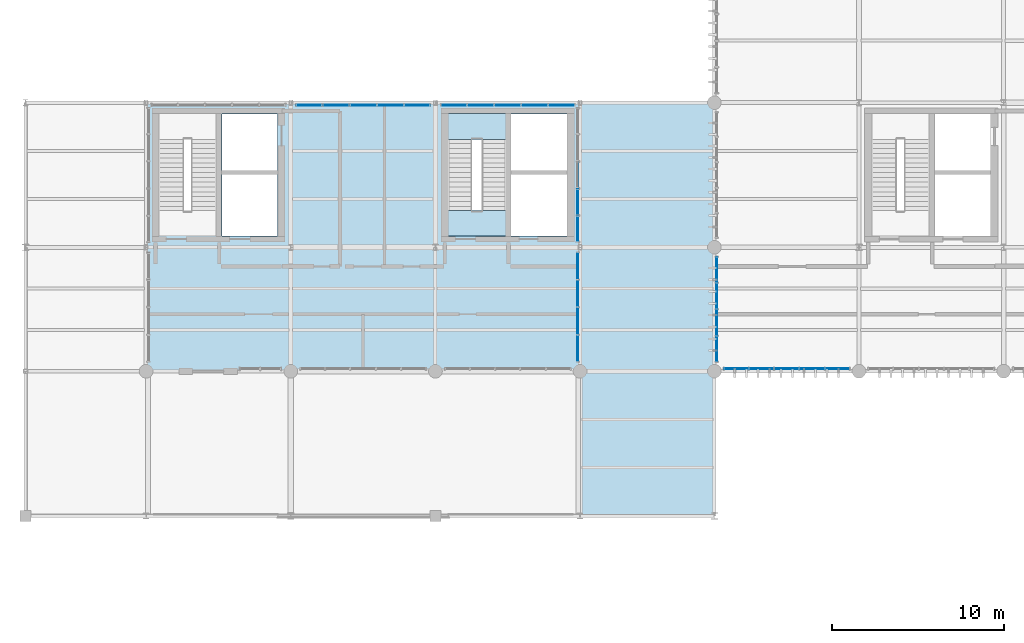
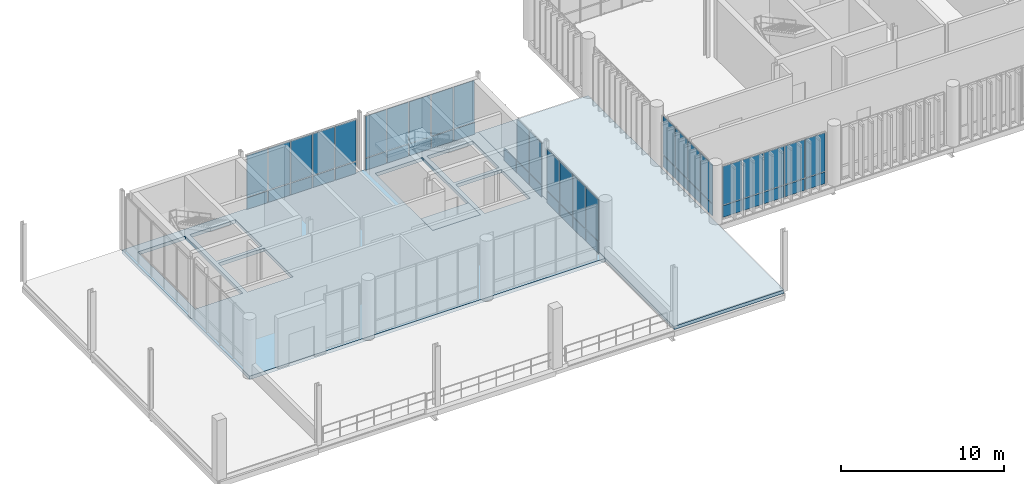
# One storey, part 51 of 68: 51 plates, 4 slabs, 7 elements without a shape of their own.
"""IFC4 building model written with IfcOpenShell, lengths in metres."""

from ifc_helpers import new_model, si_unit, direction, frame, frame_2d, origin_with_axes, place, context, subcontext, project, spatial, polyline, rectangle, outline, extrude, material, layer, layer_set, type_object, element, aggregate, save


model = new_model("IFC4")

# Units and contexts
model_context = context("Model", 3, precision=1e-05, world=origin_with_axes(), true_north=direction((0.0, 1.0)))
body_context = subcontext(model_context, "Body", "Model", "MODEL_VIEW")
ifc_project = project(units=[si_unit("LENGTHUNIT", "METRE"), si_unit("AREAUNIT", "SQUARE_METRE"), si_unit("VOLUMEUNIT", "CUBIC_METRE"), si_unit("PLANEANGLEUNIT", "RADIAN"), si_unit("MASSUNIT", "GRAM", prefix="KILO"), si_unit("THERMODYNAMICTEMPERATUREUNIT", "KELVIN")], contexts=[model_context])

# Site, building, storey
site_placement = place(None, origin_with_axes())
site = spatial("IfcSite", under=ifc_project, at=site_placement, CompositionType="ELEMENT")
building_placement = place(site_placement, origin_with_axes())
building = spatial("IfcBuilding", under=site, at=building_placement, Name="Montbau Bow Law Courts", CompositionType="ELEMENT")
storey_placement = place(building_placement, frame((0.0, 0.0, 20.4), z_axis=(0.0, 0.0, 1.0), x_axis=(1.0, 0.0, 0.0)))
storey = spatial("IfcBuildingStorey", under=building, at=storey_placement, Name="L04", CompositionType="ELEMENT", Elevation=20.4)

# Curtain wall, plates
ifc_material_1 = material(Name="Thermally Broken Extruded Aluminium AA 6063-T6", Category="aluminium")
curtain_wall_type_1 = type_object("IfcCurtainWallType", Name="CW-CRM-01", PredefinedType="NOTDEFINED", material=ifc_material_1)
curtain_wall_1_placement = place(None, frame((47.315, 39.14, 20.4), z_axis=(0.0, 0.0, 1.0), x_axis=(1.0, 0.0, 0.0)))
curtain_wall_1 = element("IfcCurtainWall", 1, at=curtain_wall_1_placement, inside=storey, type_object=curtain_wall_type_1, Name="CW-L04-193:cw_0193", PredefinedType="NOTDEFINED")
ifc_material_2 = material(Name="Triple-Glazed Low-E Argon Insulating Glass Unit", Category="glass")
ifc_layer_1 = layer(ifc_material_2, 0.044, Name="Curtain Panel", Category="glass")
ifc_layer_set_1 = layer_set([ifc_layer_1], Name="Triple-Glazed Low-E Argon Insulating Glass Unit")
plate_type_1 = type_object("IfcPlateType", Name="PL-CWP-01", PredefinedType="CURTAIN_PANEL", material=ifc_layer_set_1)
plate_1_placement = place(None, frame((47.383, 39.14, 21.38), z_axis=(0.0, -1.0, 0.0), x_axis=(1.0, 0.0, 0.0)))
plate_1 = element("IfcPlate", 2, at=plate_1_placement, type_object=plate_type_1, Name="CW-L04-193-P01-2:cw_0193_P01_2", PredefinedType="CURTAIN_PANEL", context=body_context, shape_type="SweptSolid", body=[
    extrude(rectangle(XDim=1.372, YDim=2.884, at=frame_2d((0.686, 1.442), x_axis=(1.0, 0.0))), frame((0.0, 0.0, -0.022), z_axis=(0.0, 0.0, 1.0), x_axis=(1.0, 0.0, 0.0)), (0.0, 0.0, 1.0), 0.044),
])
plate_2_placement = place(None, frame((48.823, 39.14, 21.38), z_axis=(0.0, -1.0, 0.0), x_axis=(1.0, 0.0, 0.0)))
plate_2 = element("IfcPlate", 3, at=plate_2_placement, type_object=plate_type_1, Name="CW-L04-193-P02-2:cw_0193_P02_2", PredefinedType="CURTAIN_PANEL", context=body_context, shape_type="SweptSolid", body=[
    extrude(rectangle(XDim=1.405, YDim=2.884, at=frame_2d((0.7025, 1.442), x_axis=(1.0, 0.0))), frame((0.0, 0.0, -0.022), z_axis=(0.0, 0.0, 1.0), x_axis=(1.0, 0.0, 0.0)), (0.0, 0.0, 1.0), 0.044),
])
plate_3_placement = place(None, frame((50.297, 39.14, 21.38), z_axis=(0.0, -1.0, 0.0), x_axis=(1.0, 0.0, 0.0)))
plate_3 = element("IfcPlate", 4, at=plate_3_placement, type_object=plate_type_1, Name="CW-L04-193-P03-2:cw_0193_P03_2", PredefinedType="CURTAIN_PANEL", context=body_context, shape_type="SweptSolid", body=[
    extrude(rectangle(XDim=1.406, YDim=2.884, at=frame_2d((0.703, 1.442), x_axis=(1.0, 0.0))), frame((0.0, 0.0, -0.022), z_axis=(0.0, 0.0, 1.0), x_axis=(1.0, 0.0, 0.0)), (0.0, 0.0, 1.0), 0.044),
])
plate_4_placement = place(None, frame((51.771, 39.14, 21.38), z_axis=(0.0, -1.0, 0.0), x_axis=(1.0, 0.0, 0.0)))
plate_4 = element("IfcPlate", 5, at=plate_4_placement, type_object=plate_type_1, Name="CW-L04-193-P04-2:cw_0193_P04_2", PredefinedType="CURTAIN_PANEL", context=body_context, shape_type="SweptSolid", body=[
    extrude(rectangle(XDim=1.406, YDim=2.884, at=frame_2d((0.703, 1.442), x_axis=(1.0, 0.0))), frame((0.0, 0.0, -0.022), z_axis=(0.0, 0.0, 1.0), x_axis=(1.0, 0.0, 0.0)), (0.0, 0.0, 1.0), 0.044),
])
plate_5_placement = place(None, frame((53.245, 39.14, 21.38), z_axis=(0.0, -1.0, 0.0), x_axis=(1.0, 0.0, 0.0)))
plate_5 = element("IfcPlate", 6, at=plate_5_placement, type_object=plate_type_1, Name="CW-L04-193-P05-2:cw_0193_P05_2", PredefinedType="CURTAIN_PANEL", context=body_context, shape_type="SweptSolid", body=[
    extrude(rectangle(XDim=1.374, YDim=2.884, at=frame_2d((0.687, 1.442), x_axis=(1.0, 0.0))), frame((0.0, 0.0, -0.022), z_axis=(0.0, 0.0, 1.0), x_axis=(1.0, 0.0, 0.0)), (0.0, 0.0, 1.0), 0.044),
])

curtain_wall_2_placement = place(None, frame((46.94, 39.515, 20.4), z_axis=(0.0, 0.0, 1.0), x_axis=(1.0, 0.0, 0.0)))
curtain_wall_2 = element("IfcCurtainWall", 7, at=curtain_wall_2_placement, inside=storey, type_object=curtain_wall_type_1, Name="CW-L04-205:cw_0205", PredefinedType="NOTDEFINED")
plate_6_placement = place(None, frame((46.94, 39.583, 21.38), z_axis=(1.0, 0.0, 0.0), x_axis=(0.0, 1.0, 0.0)))
plate_6 = element("IfcPlate", 8, at=plate_6_placement, type_object=plate_type_1, Name="CW-L04-205-P01-2:cw_0205_P01_2", PredefinedType="CURTAIN_PANEL", context=body_context, shape_type="SweptSolid", body=[
    extrude(rectangle(XDim=1.44, YDim=2.884, at=frame_2d((0.72, 1.442), x_axis=(1.0, 0.0))), frame((0.0, 0.0, -0.022), z_axis=(0.0, 0.0, 1.0), x_axis=(1.0, 0.0, 0.0)), (0.0, 0.0, 1.0), 0.044),
])
plate_7_placement = place(None, frame((46.94, 41.092, 21.38), z_axis=(1.0, 0.0, 0.0), x_axis=(0.0, 1.0, 0.0)))
plate_7 = element("IfcPlate", 9, at=plate_7_placement, type_object=plate_type_1, Name="CW-L04-205-P02-2:cw_0205_P02_2", PredefinedType="CURTAIN_PANEL", context=body_context, shape_type="SweptSolid", body=[
    extrude(rectangle(XDim=1.473, YDim=2.884, at=frame_2d((0.7365, 1.442), x_axis=(1.0, 0.0))), frame((0.0, 0.0, -0.022), z_axis=(0.0, 0.0, 1.0), x_axis=(1.0, 0.0, 0.0)), (0.0, 0.0, 1.0), 0.044),
])
plate_8_placement = place(None, frame((46.94, 42.634, 21.38), z_axis=(1.0, 0.0, 0.0), x_axis=(0.0, 1.0, 0.0)))
plate_8 = element("IfcPlate", 10, at=plate_8_placement, type_object=plate_type_1, Name="CW-L04-205-P03-2:cw_0205_P03_2", PredefinedType="CURTAIN_PANEL", context=body_context, shape_type="SweptSolid", body=[
    extrude(rectangle(XDim=1.475, YDim=2.884, at=frame_2d((0.7375, 1.442), x_axis=(1.0, 0.0))), frame((0.0, 0.0, -0.022), z_axis=(0.0, 0.0, 1.0), x_axis=(1.0, 0.0, 0.0)), (0.0, 0.0, 1.0), 0.044),
])
plate_9_placement = place(None, frame((46.94, 44.177, 21.38), z_axis=(1.0, 0.0, 0.0), x_axis=(0.0, 1.0, 0.0)))
plate_9 = element("IfcPlate", 11, at=plate_9_placement, type_object=plate_type_1, Name="CW-L04-205-P04-2:cw_0205_P04_2", PredefinedType="CURTAIN_PANEL", context=body_context, shape_type="SweptSolid", body=[
    extrude(rectangle(XDim=1.442, YDim=2.884, at=frame_2d((0.721, 1.442), x_axis=(1.0, 0.0))), frame((0.0, 0.0, -0.022), z_axis=(0.0, 0.0, 1.0), x_axis=(1.0, 0.0, 0.0)), (0.0, 0.0, 1.0), 0.044),
])

curtain_wall_type_2 = type_object("IfcCurtainWallType", Name="CW-NCK-01", PredefinedType="NOTDEFINED", material=ifc_material_1)
curtain_wall_3_placement = place(None, frame((22.467, 54.46, 20.4), z_axis=(0.0, 0.0, 1.0), x_axis=(1.0, 0.0, 0.0)))
curtain_wall_3 = element("IfcCurtainWall", 12, at=curtain_wall_3_placement, inside=storey, type_object=curtain_wall_type_2, Name="CW-L04-070:cw_0070", PredefinedType="NOTDEFINED")
ifc_material_3 = material(Name="Insulated Ceramic-Frit Spandrel Glazing Unit", Category="glass")
ifc_layer_2 = layer(ifc_material_3, 0.056, Name="Curtain Panel", Category="glass")
ifc_layer_set_2 = layer_set([ifc_layer_2], Name="Insulated Ceramic-Frit Spandrel Glazing Unit")
plate_type_2 = type_object("IfcPlateType", Name="PL-CWP-02", PredefinedType="CURTAIN_PANEL", material=ifc_layer_set_2)
plate_10_placement = place(None, frame((22.535, 54.46, 20.462), z_axis=(0.0, -1.0, 0.0), x_axis=(1.0, 0.0, 0.0)))
plate_10 = element("IfcPlate", 13, at=plate_10_placement, type_object=plate_type_2, Name="CW-L04-070-P01-1:cw_0070_P01_1", PredefinedType="CURTAIN_PANEL", context=body_context, shape_type="SweptSolid", body=[
    extrude(rectangle(XDim=1.47, YDim=0.856, at=frame_2d((0.735, 0.428), x_axis=(1.0, 0.0))), frame((0.0, 0.0, -0.028), z_axis=(0.0, 0.0, 1.0), x_axis=(1.0, 0.0, 0.0)), (0.0, 0.0, 1.0), 0.056),
])
plate_11_placement = place(None, frame((24.074, 54.46, 20.462), z_axis=(0.0, -1.0, 0.0), x_axis=(1.0, 0.0, 0.0)))
plate_11 = element("IfcPlate", 14, at=plate_11_placement, type_object=plate_type_2, Name="CW-L04-070-P02-1:cw_0070_P02_1", PredefinedType="CURTAIN_PANEL", context=body_context, shape_type="SweptSolid", body=[
    extrude(rectangle(XDim=1.504, YDim=0.856, at=frame_2d((0.752, 0.428), x_axis=(1.0, 0.0))), frame((0.0, 0.0, -0.028), z_axis=(0.0, 0.0, 1.0), x_axis=(1.0, 0.0, 0.0)), (0.0, 0.0, 1.0), 0.056),
])
plate_12_placement = place(None, frame((25.647, 54.46, 20.462), z_axis=(0.0, -1.0, 0.0), x_axis=(1.0, 0.0, 0.0)))
plate_12 = element("IfcPlate", 15, at=plate_12_placement, type_object=plate_type_2, Name="CW-L04-070-P03-1:cw_0070_P03_1", PredefinedType="CURTAIN_PANEL", context=body_context, shape_type="SweptSolid", body=[
    extrude(rectangle(XDim=1.506, YDim=0.856, at=frame_2d((0.753, 0.428), x_axis=(1.0, 0.0))), frame((0.0, 0.0, -0.028), z_axis=(0.0, 0.0, 1.0), x_axis=(1.0, 0.0, 0.0)), (0.0, 0.0, 1.0), 0.056),
])
plate_13_placement = place(None, frame((27.221, 54.46, 20.462), z_axis=(0.0, -1.0, 0.0), x_axis=(1.0, 0.0, 0.0)))
plate_13 = element("IfcPlate", 16, at=plate_13_placement, type_object=plate_type_2, Name="CW-L04-070-P04-1:cw_0070_P04_1", PredefinedType="CURTAIN_PANEL", context=body_context, shape_type="SweptSolid", body=[
    extrude(rectangle(XDim=1.505, YDim=0.856, at=frame_2d((0.7525, 0.428), x_axis=(1.0, 0.0))), frame((0.0, 0.0, -0.028), z_axis=(0.0, 0.0, 1.0), x_axis=(1.0, 0.0, 0.0)), (0.0, 0.0, 1.0), 0.056),
])
plate_14_placement = place(None, frame((28.794, 54.46, 20.462), z_axis=(0.0, -1.0, 0.0), x_axis=(1.0, 0.0, 0.0)))
plate_14 = element("IfcPlate", 17, at=plate_14_placement, type_object=plate_type_2, Name="CW-L04-070-P05-1:cw_0070_P05_1", PredefinedType="CURTAIN_PANEL", context=body_context, shape_type="SweptSolid", body=[
    extrude(rectangle(XDim=1.472, YDim=0.856, at=frame_2d((0.736, 0.428), x_axis=(1.0, 0.0))), frame((0.0, 0.0, -0.028), z_axis=(0.0, 0.0, 1.0), x_axis=(1.0, 0.0, 0.0)), (0.0, 0.0, 1.0), 0.056),
])

curtain_wall_4_placement = place(None, frame((30.867, 54.46, 20.4), z_axis=(0.0, 0.0, 1.0), x_axis=(1.0, 0.0, 0.0)))
curtain_wall_4 = element("IfcCurtainWall", 18, at=curtain_wall_4_placement, inside=storey, type_object=curtain_wall_type_2, Name="CW-L04-071:cw_0071", PredefinedType="NOTDEFINED")
plate_15_placement = place(None, frame((30.929, 54.46, 20.456), z_axis=(0.0, -1.0, 0.0), x_axis=(1.0, 0.0, 0.0)))
plate_15 = element("IfcPlate", 19, at=plate_15_placement, type_object=plate_type_2, Name="CW-L04-071-P01-1:cw_0071_P01_1", PredefinedType="CURTAIN_PANEL", context=body_context, shape_type="SweptSolid", body=[
    extrude(rectangle(XDim=1.479, YDim=0.865, at=frame_2d((0.7395, 0.4325), x_axis=(1.0, 0.0))), frame((0.0, 0.0, -0.028), z_axis=(0.0, 0.0, 1.0), x_axis=(1.0, 0.0, 0.0)), (0.0, 0.0, 1.0), 0.056),
])
plate_16_placement = place(None, frame((32.472, 54.46, 20.456), z_axis=(0.0, -1.0, 0.0), x_axis=(1.0, 0.0, 0.0)))
plate_16 = element("IfcPlate", 20, at=plate_16_placement, type_object=plate_type_2, Name="CW-L04-071-P02-1:cw_0071_P02_1", PredefinedType="CURTAIN_PANEL", context=body_context, shape_type="SweptSolid", body=[
    extrude(rectangle(XDim=1.509, YDim=0.865, at=frame_2d((0.7545, 0.4325), x_axis=(1.0, 0.0))), frame((0.0, 0.0, -0.028), z_axis=(0.0, 0.0, 1.0), x_axis=(1.0, 0.0, 0.0)), (0.0, 0.0, 1.0), 0.056),
])
plate_17_placement = place(None, frame((34.045, 54.46, 20.456), z_axis=(0.0, -1.0, 0.0), x_axis=(1.0, 0.0, 0.0)))
plate_17 = element("IfcPlate", 21, at=plate_17_placement, type_object=plate_type_2, Name="CW-L04-071-P03-1:cw_0071_P03_1", PredefinedType="CURTAIN_PANEL", context=body_context, shape_type="SweptSolid", body=[
    extrude(rectangle(XDim=1.509, YDim=0.865, at=frame_2d((0.7545, 0.4325), x_axis=(1.0, 0.0))), frame((0.0, 0.0, -0.028), z_axis=(0.0, 0.0, 1.0), x_axis=(1.0, 0.0, 0.0)), (0.0, 0.0, 1.0), 0.056),
])
plate_18_placement = place(None, frame((35.618, 54.46, 20.456), z_axis=(0.0, -1.0, 0.0), x_axis=(1.0, 0.0, 0.0)))
plate_18 = element("IfcPlate", 22, at=plate_18_placement, type_object=plate_type_2, Name="CW-L04-071-P04-1:cw_0071_P04_1", PredefinedType="CURTAIN_PANEL", context=body_context, shape_type="SweptSolid", body=[
    extrude(rectangle(XDim=1.509, YDim=0.865, at=frame_2d((0.7545, 0.4325), x_axis=(1.0, 0.0))), frame((0.0, 0.0, -0.028), z_axis=(0.0, 0.0, 1.0), x_axis=(1.0, 0.0, 0.0)), (0.0, 0.0, 1.0), 0.056),
])
plate_19_placement = place(None, frame((37.191, 54.46, 20.456), z_axis=(0.0, -1.0, 0.0), x_axis=(1.0, 0.0, 0.0)))
plate_19 = element("IfcPlate", 23, at=plate_19_placement, type_object=plate_type_2, Name="CW-L04-071-P05-1:cw_0071_P05_1", PredefinedType="CURTAIN_PANEL", context=body_context, shape_type="SweptSolid", body=[
    extrude(rectangle(XDim=1.479, YDim=0.865, at=frame_2d((0.7395, 0.4325), x_axis=(1.0, 0.0))), frame((0.0, 0.0, -0.028), z_axis=(0.0, 0.0, 1.0), x_axis=(1.0, 0.0, 0.0)), (0.0, 0.0, 1.0), 0.056),
])

curtain_wall_5_placement = place(None, frame((38.86, 39.515, 20.4), z_axis=(0.0, 0.0, 1.0), x_axis=(1.0, 0.0, 0.0)))
curtain_wall_5 = element("IfcCurtainWall", 24, at=curtain_wall_5_placement, inside=storey, type_object=curtain_wall_type_2, Name="CW-L04-074:cw_0074", PredefinedType="NOTDEFINED")
plate_20_placement = place(None, frame((38.86, 39.577, 20.462), z_axis=(1.0, 0.0, 0.0), x_axis=(0.0, 1.0, 0.0)))
plate_20 = element("IfcPlate", 25, at=plate_20_placement, type_object=plate_type_2, Name="CW-L04-074-P01-1:cw_0074_P01_1", PredefinedType="CURTAIN_PANEL", context=body_context, shape_type="SweptSolid", body=[
    extrude(rectangle(XDim=1.51, YDim=0.856, at=frame_2d((0.755, 0.428), x_axis=(1.0, 0.0))), frame((0.0, 0.0, -0.028), z_axis=(0.0, 0.0, 1.0), x_axis=(1.0, 0.0, 0.0)), (0.0, 0.0, 1.0), 0.056),
])
plate_21_placement = place(None, frame((38.86, 41.151, 20.462), z_axis=(1.0, 0.0, 0.0), x_axis=(0.0, 1.0, 0.0)))
plate_21 = element("IfcPlate", 26, at=plate_21_placement, type_object=plate_type_2, Name="CW-L04-074-P02-1:cw_0074_P02_1", PredefinedType="CURTAIN_PANEL", context=body_context, shape_type="SweptSolid", body=[
    extrude(rectangle(XDim=1.541, YDim=0.856, at=frame_2d((0.7705, 0.428), x_axis=(1.0, 0.0))), frame((0.0, 0.0, -0.028), z_axis=(0.0, 0.0, 1.0), x_axis=(1.0, 0.0, 0.0)), (0.0, 0.0, 1.0), 0.056),
])
plate_22_placement = place(None, frame((38.86, 42.756, 20.462), z_axis=(1.0, 0.0, 0.0), x_axis=(0.0, 1.0, 0.0)))
plate_22 = element("IfcPlate", 27, at=plate_22_placement, type_object=plate_type_2, Name="CW-L04-074-P03-1:cw_0074_P03_1", PredefinedType="CURTAIN_PANEL", context=body_context, shape_type="SweptSolid", body=[
    extrude(rectangle(XDim=1.54, YDim=0.856, at=frame_2d((0.77, 0.428), x_axis=(1.0, 0.0))), frame((0.0, 0.0, -0.028), z_axis=(0.0, 0.0, 1.0), x_axis=(1.0, 0.0, 0.0)), (0.0, 0.0, 1.0), 0.056),
])
plate_23_placement = place(None, frame((38.86, 44.36, 20.462), z_axis=(1.0, 0.0, 0.0), x_axis=(0.0, 1.0, 0.0)))
plate_23 = element("IfcPlate", 28, at=plate_23_placement, type_object=plate_type_2, Name="CW-L04-074-P04-1:cw_0074_P04_1", PredefinedType="CURTAIN_PANEL", context=body_context, shape_type="SweptSolid", body=[
    extrude(rectangle(XDim=1.51, YDim=0.856, at=frame_2d((0.755, 0.428), x_axis=(1.0, 0.0))), frame((0.0, 0.0, -0.028), z_axis=(0.0, 0.0, 1.0), x_axis=(1.0, 0.0, 0.0)), (0.0, 0.0, 1.0), 0.056),
])

curtain_wall_6_placement = place(None, frame((38.86, 46.468, 20.4), z_axis=(0.0, 0.0, 1.0), x_axis=(1.0, 0.0, 0.0)))
curtain_wall_6 = element("IfcCurtainWall", 29, at=curtain_wall_6_placement, inside=storey, type_object=curtain_wall_type_2, Name="CW-L04-075:cw_0075", PredefinedType="NOTDEFINED")
plate_24_placement = place(None, frame((38.86, 46.544, 20.456), z_axis=(1.0, 0.0, 0.0), x_axis=(0.0, 1.0, 0.0)))
plate_24 = element("IfcPlate", 30, at=plate_24_placement, type_object=plate_type_2, Name="CW-L04-075-P01-1:cw_0075_P01_1", PredefinedType="CURTAIN_PANEL", context=body_context, shape_type="SweptSolid", body=[
    extrude(rectangle(XDim=1.457, YDim=0.865, at=frame_2d((0.7285, 0.4325), x_axis=(1.0, 0.0))), frame((0.0, 0.0, -0.028), z_axis=(0.0, 0.0, 1.0), x_axis=(1.0, 0.0, 0.0)), (0.0, 0.0, 1.0), 0.056),
])
plate_25_placement = place(None, frame((38.86, 48.081, 20.456), z_axis=(1.0, 0.0, 0.0), x_axis=(0.0, 1.0, 0.0)))
plate_25 = element("IfcPlate", 31, at=plate_25_placement, type_object=plate_type_2, Name="CW-L04-075-P02-1:cw_0075_P02_1", PredefinedType="CURTAIN_PANEL", context=body_context, shape_type="SweptSolid", body=[
    extrude(rectangle(XDim=1.494, YDim=0.865, at=frame_2d((0.747, 0.4325), x_axis=(1.0, 0.0))), frame((0.0, 0.0, -0.028), z_axis=(0.0, 0.0, 1.0), x_axis=(1.0, 0.0, 0.0)), (0.0, 0.0, 1.0), 0.056),
])
plate_26_placement = place(None, frame((38.86, 49.653, 20.456), z_axis=(1.0, 0.0, 0.0), x_axis=(0.0, 1.0, 0.0)))
plate_26 = element("IfcPlate", 32, at=plate_26_placement, type_object=plate_type_2, Name="CW-L04-075-P03-1:cw_0075_P03_1", PredefinedType="CURTAIN_PANEL", context=body_context, shape_type="SweptSolid", body=[
    extrude(rectangle(XDim=1.494, YDim=0.865, at=frame_2d((0.747, 0.4325), x_axis=(1.0, 0.0))), frame((0.0, 0.0, -0.028), z_axis=(0.0, 0.0, 1.0), x_axis=(1.0, 0.0, 0.0)), (0.0, 0.0, 1.0), 0.056),
])

# Plate
plate_27_placement = place(None, frame((47.383, 39.14, 20.456), z_axis=(0.0, -1.0, 0.0), x_axis=(1.0, 0.0, 0.0)))
plate_27 = element("IfcPlate", 33, at=plate_27_placement, type_object=plate_type_2, Name="CW-L04-193-P01-1:cw_0193_P01_1", PredefinedType="CURTAIN_PANEL", context=body_context, shape_type="SweptSolid", body=[
    extrude(rectangle(XDim=1.372, YDim=0.865, at=frame_2d((0.686, 0.4325), x_axis=(1.0, 0.0))), frame((0.0, 0.0, -0.028), z_axis=(0.0, 0.0, 1.0), x_axis=(1.0, 0.0, 0.0)), (0.0, 0.0, 1.0), 0.056),
])

plate_28_placement = place(None, frame((48.823, 39.14, 20.456), z_axis=(0.0, -1.0, 0.0), x_axis=(1.0, 0.0, 0.0)))
plate_28 = element("IfcPlate", 34, at=plate_28_placement, type_object=plate_type_2, Name="CW-L04-193-P02-1:cw_0193_P02_1", PredefinedType="CURTAIN_PANEL", context=body_context, shape_type="SweptSolid", body=[
    extrude(rectangle(XDim=1.405, YDim=0.865, at=frame_2d((0.7025, 0.4325), x_axis=(1.0, 0.0))), frame((0.0, 0.0, -0.028), z_axis=(0.0, 0.0, 1.0), x_axis=(1.0, 0.0, 0.0)), (0.0, 0.0, 1.0), 0.056),
])

plate_29_placement = place(None, frame((50.297, 39.14, 20.456), z_axis=(0.0, -1.0, 0.0), x_axis=(1.0, 0.0, 0.0)))
plate_29 = element("IfcPlate", 35, at=plate_29_placement, type_object=plate_type_2, Name="CW-L04-193-P03-1:cw_0193_P03_1", PredefinedType="CURTAIN_PANEL", context=body_context, shape_type="SweptSolid", body=[
    extrude(rectangle(XDim=1.406, YDim=0.865, at=frame_2d((0.703, 0.4325), x_axis=(1.0, 0.0))), frame((0.0, 0.0, -0.028), z_axis=(0.0, 0.0, 1.0), x_axis=(1.0, 0.0, 0.0)), (0.0, 0.0, 1.0), 0.056),
])

plate_30_placement = place(None, frame((51.771, 39.14, 20.456), z_axis=(0.0, -1.0, 0.0), x_axis=(1.0, 0.0, 0.0)))
plate_30 = element("IfcPlate", 36, at=plate_30_placement, type_object=plate_type_2, Name="CW-L04-193-P04-1:cw_0193_P04_1", PredefinedType="CURTAIN_PANEL", context=body_context, shape_type="SweptSolid", body=[
    extrude(rectangle(XDim=1.406, YDim=0.865, at=frame_2d((0.703, 0.4325), x_axis=(1.0, 0.0))), frame((0.0, 0.0, -0.028), z_axis=(0.0, 0.0, 1.0), x_axis=(1.0, 0.0, 0.0)), (0.0, 0.0, 1.0), 0.056),
])

plate_31_placement = place(None, frame((53.245, 39.14, 20.456), z_axis=(0.0, -1.0, 0.0), x_axis=(1.0, 0.0, 0.0)))
plate_31 = element("IfcPlate", 37, at=plate_31_placement, type_object=plate_type_2, Name="CW-L04-193-P05-1:cw_0193_P05_1", PredefinedType="CURTAIN_PANEL", context=body_context, shape_type="SweptSolid", body=[
    extrude(rectangle(XDim=1.374, YDim=0.865, at=frame_2d((0.687, 0.4325), x_axis=(1.0, 0.0))), frame((0.0, 0.0, -0.028), z_axis=(0.0, 0.0, 1.0), x_axis=(1.0, 0.0, 0.0)), (0.0, 0.0, 1.0), 0.056),
])

aggregate(curtain_wall_1, [plate_27, plate_1, plate_28, plate_2, plate_29, plate_3, plate_30, plate_4, plate_31, plate_5])

plate_32_placement = place(None, frame((46.94, 39.583, 20.456), z_axis=(1.0, 0.0, 0.0), x_axis=(0.0, 1.0, 0.0)))
plate_32 = element("IfcPlate", 38, at=plate_32_placement, type_object=plate_type_2, Name="CW-L04-205-P01-1:cw_0205_P01_1", PredefinedType="CURTAIN_PANEL", context=body_context, shape_type="SweptSolid", body=[
    extrude(rectangle(XDim=1.44, YDim=0.865, at=frame_2d((0.72, 0.4325), x_axis=(1.0, 0.0))), frame((0.0, 0.0, -0.028), z_axis=(0.0, 0.0, 1.0), x_axis=(1.0, 0.0, 0.0)), (0.0, 0.0, 1.0), 0.056),
])

plate_33_placement = place(None, frame((46.94, 41.092, 20.456), z_axis=(1.0, 0.0, 0.0), x_axis=(0.0, 1.0, 0.0)))
plate_33 = element("IfcPlate", 39, at=plate_33_placement, type_object=plate_type_2, Name="CW-L04-205-P02-1:cw_0205_P02_1", PredefinedType="CURTAIN_PANEL", context=body_context, shape_type="SweptSolid", body=[
    extrude(rectangle(XDim=1.473, YDim=0.865, at=frame_2d((0.7365, 0.4325), x_axis=(1.0, 0.0))), frame((0.0, 0.0, -0.028), z_axis=(0.0, 0.0, 1.0), x_axis=(1.0, 0.0, 0.0)), (0.0, 0.0, 1.0), 0.056),
])

plate_34_placement = place(None, frame((46.94, 42.634, 20.456), z_axis=(1.0, 0.0, 0.0), x_axis=(0.0, 1.0, 0.0)))
plate_34 = element("IfcPlate", 40, at=plate_34_placement, type_object=plate_type_2, Name="CW-L04-205-P03-1:cw_0205_P03_1", PredefinedType="CURTAIN_PANEL", context=body_context, shape_type="SweptSolid", body=[
    extrude(rectangle(XDim=1.475, YDim=0.865, at=frame_2d((0.7375, 0.4325), x_axis=(1.0, 0.0))), frame((0.0, 0.0, -0.028), z_axis=(0.0, 0.0, 1.0), x_axis=(1.0, 0.0, 0.0)), (0.0, 0.0, 1.0), 0.056),
])

plate_35_placement = place(None, frame((46.94, 44.177, 20.456), z_axis=(1.0, 0.0, 0.0), x_axis=(0.0, 1.0, 0.0)))
plate_35 = element("IfcPlate", 41, at=plate_35_placement, type_object=plate_type_2, Name="CW-L04-205-P04-1:cw_0205_P04_1", PredefinedType="CURTAIN_PANEL", context=body_context, shape_type="SweptSolid", body=[
    extrude(rectangle(XDim=1.442, YDim=0.865, at=frame_2d((0.721, 0.4325), x_axis=(1.0, 0.0))), frame((0.0, 0.0, -0.028), z_axis=(0.0, 0.0, 1.0), x_axis=(1.0, 0.0, 0.0)), (0.0, 0.0, 1.0), 0.056),
])

aggregate(curtain_wall_2, [plate_32, plate_6, plate_33, plate_7, plate_34, plate_8, plate_35, plate_9])

ifc_material_4 = material(Name="Triple-Glazed Winter-Garden Vision Unit", Category="glass")
ifc_layer_3 = layer(ifc_material_4, 0.036, Name="Curtain Panel", Category="glass")
ifc_layer_set_3 = layer_set([ifc_layer_3], Name="Triple-Glazed Winter-Garden Vision Unit")
plate_type_3 = type_object("IfcPlateType", Name="PL-CWP-03", PredefinedType="CURTAIN_PANEL", material=ifc_layer_set_3)
plate_36_placement = place(None, frame((22.535, 54.46, 21.382), z_axis=(0.0, -1.0, 0.0), x_axis=(1.0, 0.0, 0.0)))
plate_36 = element("IfcPlate", 42, at=plate_36_placement, type_object=plate_type_3, Name="CW-L04-070-P01-2:cw_0070_P01_2", PredefinedType="CURTAIN_PANEL", context=body_context, shape_type="SweptSolid", body=[
    extrude(rectangle(XDim=1.47, YDim=3.096, at=frame_2d((0.735, 1.548), x_axis=(1.0, 0.0))), frame((0.0, 0.0, -0.018), z_axis=(0.0, 0.0, 1.0), x_axis=(1.0, 0.0, 0.0)), (0.0, 0.0, 1.0), 0.036),
])

plate_37_placement = place(None, frame((24.074, 54.46, 21.382), z_axis=(0.0, -1.0, 0.0), x_axis=(1.0, 0.0, 0.0)))
plate_37 = element("IfcPlate", 43, at=plate_37_placement, type_object=plate_type_3, Name="CW-L04-070-P02-2:cw_0070_P02_2", PredefinedType="CURTAIN_PANEL", context=body_context, shape_type="SweptSolid", body=[
    extrude(rectangle(XDim=1.504, YDim=3.096, at=frame_2d((0.752, 1.548), x_axis=(1.0, 0.0))), frame((0.0, 0.0, -0.018), z_axis=(0.0, 0.0, 1.0), x_axis=(1.0, 0.0, 0.0)), (0.0, 0.0, 1.0), 0.036),
])

plate_38_placement = place(None, frame((25.647, 54.46, 21.382), z_axis=(0.0, -1.0, 0.0), x_axis=(1.0, 0.0, 0.0)))
plate_38 = element("IfcPlate", 44, at=plate_38_placement, type_object=plate_type_3, Name="CW-L04-070-P03-2:cw_0070_P03_2", PredefinedType="CURTAIN_PANEL", context=body_context, shape_type="SweptSolid", body=[
    extrude(rectangle(XDim=1.506, YDim=3.096, at=frame_2d((0.753, 1.548), x_axis=(1.0, 0.0))), frame((0.0, 0.0, -0.018), z_axis=(0.0, 0.0, 1.0), x_axis=(1.0, 0.0, 0.0)), (0.0, 0.0, 1.0), 0.036),
])

plate_39_placement = place(None, frame((27.221, 54.46, 21.382), z_axis=(0.0, -1.0, 0.0), x_axis=(1.0, 0.0, 0.0)))
plate_39 = element("IfcPlate", 45, at=plate_39_placement, type_object=plate_type_3, Name="CW-L04-070-P04-2:cw_0070_P04_2", PredefinedType="CURTAIN_PANEL", context=body_context, shape_type="SweptSolid", body=[
    extrude(rectangle(XDim=1.505, YDim=3.096, at=frame_2d((0.7525, 1.548), x_axis=(1.0, 0.0))), frame((0.0, 0.0, -0.018), z_axis=(0.0, 0.0, 1.0), x_axis=(1.0, 0.0, 0.0)), (0.0, 0.0, 1.0), 0.036),
])

plate_40_placement = place(None, frame((28.794, 54.46, 21.382), z_axis=(0.0, -1.0, 0.0), x_axis=(1.0, 0.0, 0.0)))
plate_40 = element("IfcPlate", 46, at=plate_40_placement, type_object=plate_type_3, Name="CW-L04-070-P05-2:cw_0070_P05_2", PredefinedType="CURTAIN_PANEL", context=body_context, shape_type="SweptSolid", body=[
    extrude(rectangle(XDim=1.472, YDim=3.096, at=frame_2d((0.736, 1.548), x_axis=(1.0, 0.0))), frame((0.0, 0.0, -0.018), z_axis=(0.0, 0.0, 1.0), x_axis=(1.0, 0.0, 0.0)), (0.0, 0.0, 1.0), 0.036),
])

aggregate(curtain_wall_3, [plate_10, plate_36, plate_11, plate_37, plate_12, plate_38, plate_13, plate_39, plate_14, plate_40])

plate_41_placement = place(None, frame((30.929, 54.46, 21.38), z_axis=(0.0, -1.0, 0.0), x_axis=(1.0, 0.0, 0.0)))
plate_41 = element("IfcPlate", 47, at=plate_41_placement, type_object=plate_type_3, Name="CW-L04-071-P01-2:cw_0071_P01_2", PredefinedType="CURTAIN_PANEL", context=body_context, shape_type="SweptSolid", body=[
    extrude(rectangle(XDim=1.479, YDim=3.103, at=frame_2d((0.7395, 1.5515), x_axis=(1.0, 0.0))), frame((0.0, 0.0, -0.018), z_axis=(0.0, 0.0, 1.0), x_axis=(1.0, 0.0, 0.0)), (0.0, 0.0, 1.0), 0.036),
])

plate_42_placement = place(None, frame((32.472, 54.46, 21.38), z_axis=(0.0, -1.0, 0.0), x_axis=(1.0, 0.0, 0.0)))
plate_42 = element("IfcPlate", 48, at=plate_42_placement, type_object=plate_type_3, Name="CW-L04-071-P02-2:cw_0071_P02_2", PredefinedType="CURTAIN_PANEL", context=body_context, shape_type="SweptSolid", body=[
    extrude(rectangle(XDim=1.509, YDim=3.103, at=frame_2d((0.7545, 1.5515), x_axis=(1.0, 0.0))), frame((0.0, 0.0, -0.018), z_axis=(0.0, 0.0, 1.0), x_axis=(1.0, 0.0, 0.0)), (0.0, 0.0, 1.0), 0.036),
])

plate_43_placement = place(None, frame((34.045, 54.46, 21.38), z_axis=(0.0, -1.0, 0.0), x_axis=(1.0, 0.0, 0.0)))
plate_43 = element("IfcPlate", 49, at=plate_43_placement, type_object=plate_type_3, Name="CW-L04-071-P03-2:cw_0071_P03_2", PredefinedType="CURTAIN_PANEL", context=body_context, shape_type="SweptSolid", body=[
    extrude(rectangle(XDim=1.509, YDim=3.103, at=frame_2d((0.7545, 1.5515), x_axis=(1.0, 0.0))), frame((0.0, 0.0, -0.018), z_axis=(0.0, 0.0, 1.0), x_axis=(1.0, 0.0, 0.0)), (0.0, 0.0, 1.0), 0.036),
])

plate_44_placement = place(None, frame((35.618, 54.46, 21.38), z_axis=(0.0, -1.0, 0.0), x_axis=(1.0, 0.0, 0.0)))
plate_44 = element("IfcPlate", 50, at=plate_44_placement, type_object=plate_type_3, Name="CW-L04-071-P04-2:cw_0071_P04_2", PredefinedType="CURTAIN_PANEL", context=body_context, shape_type="SweptSolid", body=[
    extrude(rectangle(XDim=1.509, YDim=3.103, at=frame_2d((0.7545, 1.5515), x_axis=(1.0, 0.0))), frame((0.0, 0.0, -0.018), z_axis=(0.0, 0.0, 1.0), x_axis=(1.0, 0.0, 0.0)), (0.0, 0.0, 1.0), 0.036),
])

plate_45_placement = place(None, frame((37.191, 54.46, 21.38), z_axis=(0.0, -1.0, 0.0), x_axis=(1.0, 0.0, 0.0)))
plate_45 = element("IfcPlate", 51, at=plate_45_placement, type_object=plate_type_3, Name="CW-L04-071-P05-2:cw_0071_P05_2", PredefinedType="CURTAIN_PANEL", context=body_context, shape_type="SweptSolid", body=[
    extrude(rectangle(XDim=1.479, YDim=3.103, at=frame_2d((0.7395, 1.5515), x_axis=(1.0, 0.0))), frame((0.0, 0.0, -0.018), z_axis=(0.0, 0.0, 1.0), x_axis=(1.0, 0.0, 0.0)), (0.0, 0.0, 1.0), 0.036),
])

aggregate(curtain_wall_4, [plate_15, plate_41, plate_16, plate_42, plate_17, plate_43, plate_18, plate_44, plate_19, plate_45])

plate_46_placement = place(None, frame((38.86, 39.577, 21.382), z_axis=(1.0, 0.0, 0.0), x_axis=(0.0, 1.0, 0.0)))
plate_46 = element("IfcPlate", 52, at=plate_46_placement, type_object=plate_type_3, Name="CW-L04-074-P01-2:cw_0074_P01_2", PredefinedType="CURTAIN_PANEL", context=body_context, shape_type="SweptSolid", body=[
    extrude(rectangle(XDim=1.51, YDim=3.096, at=frame_2d((0.755, 1.548), x_axis=(1.0, 0.0))), frame((0.0, 0.0, -0.018), z_axis=(0.0, 0.0, 1.0), x_axis=(1.0, 0.0, 0.0)), (0.0, 0.0, 1.0), 0.036),
])

plate_47_placement = place(None, frame((38.86, 41.151, 21.382), z_axis=(1.0, 0.0, 0.0), x_axis=(0.0, 1.0, 0.0)))
plate_47 = element("IfcPlate", 53, at=plate_47_placement, type_object=plate_type_3, Name="CW-L04-074-P02-2:cw_0074_P02_2", PredefinedType="CURTAIN_PANEL", context=body_context, shape_type="SweptSolid", body=[
    extrude(rectangle(XDim=1.541, YDim=3.096, at=frame_2d((0.7705, 1.548), x_axis=(1.0, 0.0))), frame((0.0, 0.0, -0.018), z_axis=(0.0, 0.0, 1.0), x_axis=(1.0, 0.0, 0.0)), (0.0, 0.0, 1.0), 0.036),
])

plate_48_placement = place(None, frame((38.86, 42.756, 21.382), z_axis=(1.0, 0.0, 0.0), x_axis=(0.0, 1.0, 0.0)))
plate_48 = element("IfcPlate", 54, at=plate_48_placement, type_object=plate_type_3, Name="CW-L04-074-P03-2:cw_0074_P03_2", PredefinedType="CURTAIN_PANEL", context=body_context, shape_type="SweptSolid", body=[
    extrude(rectangle(XDim=1.54, YDim=3.096, at=frame_2d((0.77, 1.548), x_axis=(1.0, 0.0))), frame((0.0, 0.0, -0.018), z_axis=(0.0, 0.0, 1.0), x_axis=(1.0, 0.0, 0.0)), (0.0, 0.0, 1.0), 0.036),
])

plate_49_placement = place(None, frame((38.86, 44.36, 21.382), z_axis=(1.0, 0.0, 0.0), x_axis=(0.0, 1.0, 0.0)))
plate_49 = element("IfcPlate", 55, at=plate_49_placement, type_object=plate_type_3, Name="CW-L04-074-P04-2:cw_0074_P04_2", PredefinedType="CURTAIN_PANEL", context=body_context, shape_type="SweptSolid", body=[
    extrude(rectangle(XDim=1.51, YDim=3.096, at=frame_2d((0.755, 1.548), x_axis=(1.0, 0.0))), frame((0.0, 0.0, -0.018), z_axis=(0.0, 0.0, 1.0), x_axis=(1.0, 0.0, 0.0)), (0.0, 0.0, 1.0), 0.036),
])

aggregate(curtain_wall_5, [plate_20, plate_46, plate_21, plate_47, plate_22, plate_48, plate_23, plate_49])

plate_50_placement = place(None, frame((38.86, 46.544, 21.38), z_axis=(1.0, 0.0, 0.0), x_axis=(0.0, 1.0, 0.0)))
plate_50 = element("IfcPlate", 56, at=plate_50_placement, type_object=plate_type_3, Name="CW-L04-075-P01-2:cw_0075_P01_2", PredefinedType="CURTAIN_PANEL", context=body_context, shape_type="SweptSolid", body=[
    extrude(rectangle(XDim=1.457, YDim=3.103, at=frame_2d((0.7285, 1.5515), x_axis=(1.0, 0.0))), frame((0.0, 0.0, -0.018), z_axis=(0.0, 0.0, 1.0), x_axis=(1.0, 0.0, 0.0)), (0.0, 0.0, 1.0), 0.036),
])

plate_51_placement = place(None, frame((38.86, 48.081, 21.38), z_axis=(1.0, 0.0, 0.0), x_axis=(0.0, 1.0, 0.0)))
plate_51 = element("IfcPlate", 57, at=plate_51_placement, type_object=plate_type_3, Name="CW-L04-075-P02-2:cw_0075_P02_2", PredefinedType="CURTAIN_PANEL", context=body_context, shape_type="SweptSolid", body=[
    extrude(rectangle(XDim=1.494, YDim=3.103, at=frame_2d((0.747, 1.5515), x_axis=(1.0, 0.0))), frame((0.0, 0.0, -0.018), z_axis=(0.0, 0.0, 1.0), x_axis=(1.0, 0.0, 0.0)), (0.0, 0.0, 1.0), 0.036),
])

aggregate(curtain_wall_6, [plate_24, plate_50, plate_25, plate_51, plate_26])

# Slab
ifc_material_5 = material(Name="Concrete CSA A23.1 f'c 40 MPa", Category="concrete")
ifc_layer_4 = layer(ifc_material_5, 0.26, Name="Floor Slab", Category="concrete")
ifc_layer_set_4 = layer_set([ifc_layer_4], Name="Concrete CSA A23.1 f'c 40 MPa")
slab_type_1 = type_object("IfcSlabType", Name="SL-FLR-04", PredefinedType="FLOOR", material=ifc_layer_set_4)
slab_1_placement = place(None, frame((0.0, 0.0, 20.14), z_axis=(0.0, 0.0, 1.0), x_axis=(1.0, 0.0, 0.0)))
element("IfcSlab", 58, at=slab_1_placement, inside=storey, type_object=slab_type_1, Name="SL-V2-L04:slb_0011", PredefinedType="FLOOR", context=body_context, shape_type="SweptSolid", body=[
    extrude(outline(polyline([(13.8, 39.0), (39.0, 39.0), (39.0, 54.6), (13.8, 54.6), (13.8, 39.0)]), holes=[polyline([(14.52, 46.888), (17.9, 46.888), (17.9, 53.93), (14.52, 53.93), (14.52, 46.888)]), polyline([(18.2, 46.87), (21.435, 46.87), (21.435, 50.421), (18.2, 50.421), (18.2, 46.87)]), polyline([(18.2, 50.661), (21.435, 50.661), (21.435, 53.93), (18.2, 53.93), (18.2, 50.661)]), polyline([(31.32, 46.888), (34.7, 46.888), (34.7, 53.93), (31.32, 53.93), (31.32, 46.888)]), polyline([(35.0, 46.87), (38.235, 46.87), (38.235, 50.421), (35.0, 50.421), (35.0, 46.87)]), polyline([(35.0, 50.661), (38.235, 50.661), (38.235, 53.93), (35.0, 53.93), (35.0, 50.661)])]), origin_with_axes(), (0.0, 0.0, 1.0), 0.26),
])

# Stair, slabs
stair_type = type_object("IfcStairType", Name="ST-JUD-1500", PredefinedType="HALF_TURN_STAIR", material=ifc_material_5)
stair_placement = place(None, frame((32.05, 48.3, 20.4), z_axis=(0.0, 0.0, 1.0), x_axis=(1.0, 0.0, 0.0)))
stair = element("IfcStair", 59, at=stair_placement, inside=storey, type_object=stair_type, Name="ST-J1-L04:str_0014", PredefinedType="HALF_TURN_STAIR")
ifc_layer_5 = layer(ifc_material_5, 0.21, Name="Landing", Category="concrete")
ifc_layer_set_5 = layer_set([ifc_layer_5], Name="Concrete CSA A23.1 f'c 40 MPa")
slab_type_2 = type_object("IfcSlabType", Name="SL-LND-02", PredefinedType="LANDING", material=ifc_layer_set_5)
slab_2_placement = place(None, frame((0.0, 0.0, 20.19), z_axis=(0.0, 0.0, 1.0), x_axis=(1.0, 0.0, 0.0)))
slab_2 = element("IfcSlab", 60, at=slab_2_placement, type_object=slab_type_2, Name="ST-J1-L04-LB:str_0014_LB", PredefinedType="LANDING", context=body_context, shape_type="SweptSolid", body=[
    extrude(outline(polyline([(31.32, 46.87), (34.7, 46.87), (34.7, 48.34), (31.32, 48.34), (31.32, 46.87)])), origin_with_axes(), (0.0, 0.0, 1.0), 0.21),
])
slab_3_placement = place(None, frame((0.0, 0.0, 22.44), z_axis=(0.0, 0.0, 1.0), x_axis=(1.0, 0.0, 0.0)))
slab_3 = element("IfcSlab", 61, at=slab_3_placement, type_object=slab_type_2, Name="ST-J1-L04-LM:str_0014_LM", PredefinedType="LANDING", context=body_context, shape_type="SweptSolid", body=[
    extrude(outline(polyline([(31.32, 52.46), (34.7, 52.46), (34.7, 53.96), (31.32, 53.96), (31.32, 52.46)])), origin_with_axes(), (0.0, 0.0, 1.0), 0.21),
])
aggregate(stair, [slab_2, slab_3])

# Slab
ifc_layer_6 = layer(ifc_material_5, 0.25, Name="Roof Slab", Category="concrete")
ifc_layer_set_6 = layer_set([ifc_layer_6], Name="Concrete CSA A23.1 f'c 40 MPa")
slab_type_3 = type_object("IfcSlabType", Name="SL-ROF-01", PredefinedType="ROOF", material=ifc_layer_set_6)
slab_4_placement = place(None, frame((0.0, 0.0, 20.15), z_axis=(0.0, 0.0, 1.0), x_axis=(1.0, 0.0, 0.0)))
element("IfcSlab", 62, at=slab_4_placement, inside=storey, type_object=slab_type_3, Name="RF-SLB-LID-L04-17:slb_0068", PredefinedType="ROOF", context=body_context, shape_type="SweptSolid", body=[
    extrude(outline(polyline([(46.796, 54.6), (46.796, 38.996), (46.8, 38.996), (46.8, 30.6), (39.004, 30.6), (39.004, 54.6), (46.796, 54.6)])), origin_with_axes(), (0.0, 0.0, 1.0), 0.25),
])

save(model, "model.ifc")
